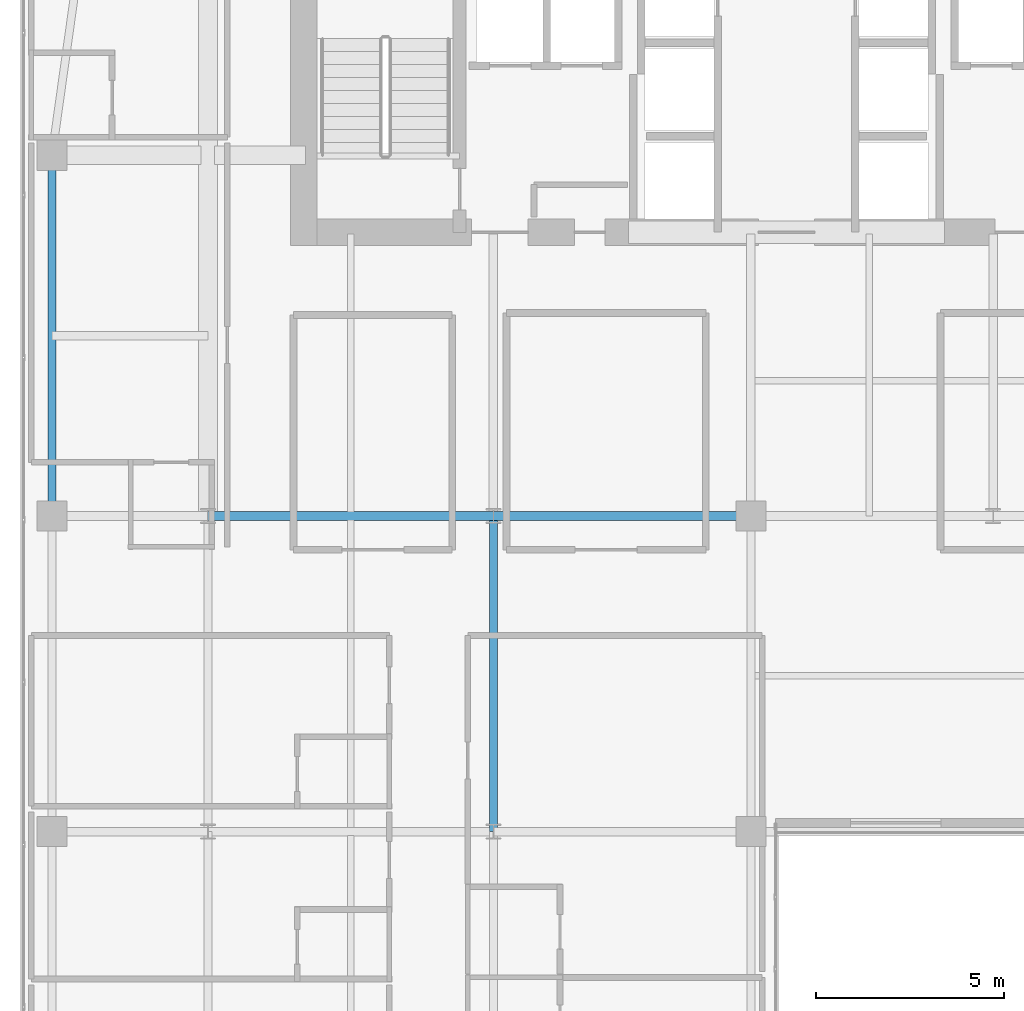
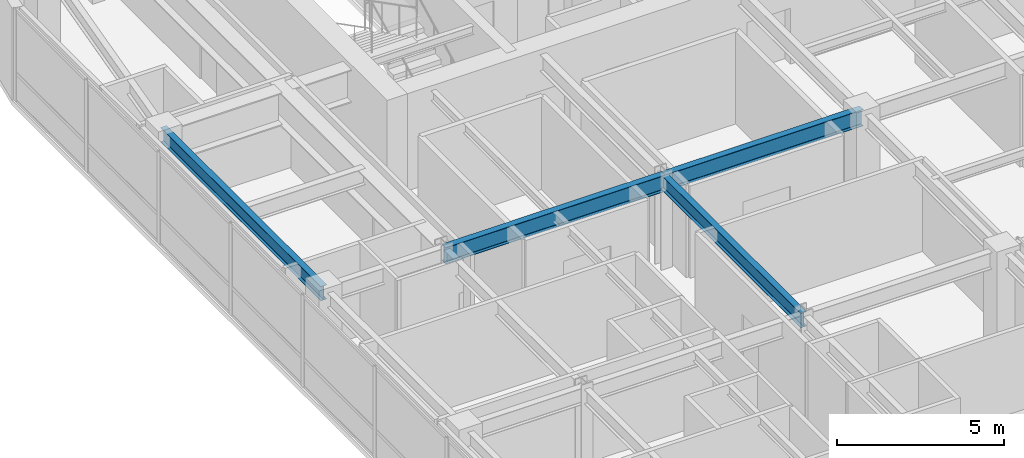
# One storey, part 10 of 28: 4 beams.
"""IFC4 building model written with IfcOpenShell, lengths in metres."""

from ifc_helpers import new_model, si_unit, direction, frame, origin, origin_2d, place, context, subcontext, project, spatial, i_section, extrude, source, transform, mapped, material, material_profile, profile_set, type_object, type_shapes, element, save


model = new_model("IFC4")

# Units and contexts
model_context = context("Model", 3, precision=1e-05, world=origin(), true_north=direction((0.0, 1.0)))
body_context = subcontext(model_context, "Body", "Model", "MODEL_VIEW")
ifc_project = project(units=[si_unit("LENGTHUNIT", "METRE"), si_unit("AREAUNIT", "SQUARE_METRE"), si_unit("VOLUMEUNIT", "CUBIC_METRE"), si_unit("PLANEANGLEUNIT", "RADIAN"), si_unit("MASSUNIT", "GRAM", prefix="KILO")], contexts=[model_context])

# Site, building, storey
site_placement = place(None, origin())
site = spatial("IfcSite", under=ifc_project, at=site_placement, CompositionType="ELEMENT")
building_placement = place(site_placement, origin())
building = spatial("IfcBuilding", under=site, at=building_placement, Name="Tolvann Quenvar Hotel", CompositionType="ELEMENT")
storey_placement = place(building_placement, frame((0.0, 0.0, 154.14990234375)))
storey = spatial("IfcBuildingStorey", under=building, at=storey_placement, Name="L40", CompositionType="ELEMENT", Elevation=154.14990234375)

# Beams
ifc_material = material(Name="Steel Grade 350", Category="steel")
ifc_material_profile_1 = material_profile(ifc_material, i_section(OverallWidth=0.208984375, OverallDepth=0.532958984375, WebThickness=0.01025390625, FlangeThickness=0.015625, FilletRadius=0.013916015625, at=origin_2d()), Name="530UB92")
ifc_profile_set_1 = profile_set([ifc_material_profile_1], Name="Steel Grade 350")
beam_type_1 = type_object("IfcBeamType", Name="BM_GIRD_530UB92", PredefinedType="BEAM", material=ifc_profile_set_1)
shared_shape_1 = source(origin(), body_context, "Body", "SweptSolid", [
    extrude(i_section(OverallWidth=0.208984375, OverallDepth=0.532958984375, WebThickness=0.01025390625, FlangeThickness=0.015625, FilletRadius=0.013916015625, at=origin_2d()), origin(), (0.0, 0.0, 1.0), 8.39990234375),
])
type_shapes(beam_type_1, [shared_shape_1])
beam_1_placement = place(storey_placement, frame((15.199951171875, 16.0, 3.103515625), z_axis=(0.0, 1.0, 0.0), x_axis=(-1.0, 0.0, 0.0)))
element("IfcBeam", 1, at=beam_1_placement, inside=storey, type_object=beam_type_1, Name="BM-L40-NS-D4-D5", PredefinedType="BEAM", context=body_context, shape_type="MappedRepresentation", body=[
    mapped(shared_shape_1, transform((0.0, 0.0, 0.0), x_axis=(1.0, 0.0, 0.0), y_axis=(0.0, 1.0, 0.0), z_axis=(0.0, 0.0, 1.0), scale=1.0)),
])
ifc_material_profile_2 = material_profile(ifc_material, i_section(OverallWidth=0.208984375, OverallDepth=0.528076171875, WebThickness=0.009521484375, FlangeThickness=0.01318359375, FilletRadius=0.013916015625, at=origin_2d()), Name="530UB82")
ifc_profile_set_2 = profile_set([ifc_material_profile_2], Name="Steel Grade 350")
beam_type_2 = type_object("IfcBeamType", Name="BM_SPAND_530UB82", PredefinedType="SPANDREL", material=ifc_profile_set_2)
shared_shape_2 = source(origin(), body_context, "Body", "SweptSolid", [
    extrude(i_section(OverallWidth=0.208984375, OverallDepth=0.528076171875, WebThickness=0.009521484375, FlangeThickness=0.01318359375, FilletRadius=0.013916015625, at=origin_2d()), origin(), (0.0, 0.0, 1.0), 9.60009765625),
])
type_shapes(beam_type_2, [shared_shape_2])
beam_2_placement = place(storey_placement, frame((3.449951171875, 24.39990234375, 3.106201171875), z_axis=(0.0, 1.0, 0.0), x_axis=(-1.0, 0.0, 0.0)))
element("IfcBeam", 2, at=beam_2_placement, inside=storey, type_object=beam_type_2, Name="BM-L40-FLK-W1", PredefinedType="SPANDREL", context=body_context, shape_type="MappedRepresentation", body=[
    mapped(shared_shape_2, transform((0.0, 0.0, 0.0), x_axis=(1.0, 0.0, 0.0), y_axis=(0.0, 1.0, 0.0), z_axis=(0.0, 0.0, 1.0), scale=1.0)),
])
ifc_material_profile_3 = material_profile(ifc_material, i_section(OverallWidth=0.22802734375, OverallDepth=0.60205078125, WebThickness=0.010498046875, FlangeThickness=0.014892578125, FilletRadius=0.013916015625, at=origin_2d()), Name="610UB101")
ifc_profile_set_3 = profile_set([ifc_material_profile_3], Name="Steel Grade 350")
beam_type_3 = type_object("IfcBeamType", Name="BM_GIRD_610UB101", PredefinedType="BEAM", material=ifc_profile_set_3)
shared_shape_3 = source(origin(), body_context, "Body", "SweptSolid", [
    extrude(i_section(OverallWidth=0.22802734375, OverallDepth=0.60205078125, WebThickness=0.010498046875, FlangeThickness=0.014892578125, FilletRadius=0.013916015625, at=origin_2d()), origin(), (0.0, 0.0, 1.0), 7.599853515625),
])
beam_3_placement = place(storey_placement, frame((7.60009765625, 24.39990234375, 3.069091796875), z_axis=(1.0, 0.0, 0.0), x_axis=(0.0, 1.0, 0.0)))
element("IfcBeam", 3, at=beam_3_placement, inside=storey, type_object=beam_type_3, Name="BM-L40-EW-5-C5-D5", PredefinedType="BEAM", context=body_context, shape_type="MappedRepresentation", body=[
    mapped(shared_shape_3, transform((0.0, 0.0, 0.0), x_axis=(1.0, 0.0, 0.0), y_axis=(0.0, 1.0, 0.0), z_axis=(0.0, 0.0, 1.0), scale=1.0)),
])
shared_shape_4 = source(origin(), body_context, "Body", "SweptSolid", [
    extrude(i_section(OverallWidth=0.22802734375, OverallDepth=0.60205078125, WebThickness=0.010498046875, FlangeThickness=0.014892578125, FilletRadius=0.013916015625, at=origin_2d()), origin(), (0.0, 0.0, 1.0), 6.85009765625),
])
type_shapes(beam_type_3, [shared_shape_3, shared_shape_4])
beam_4_placement = place(storey_placement, frame((15.199951171875, 24.39990234375, 3.069091796875), z_axis=(1.0, 0.0, 0.0), x_axis=(0.0, 1.0, 0.0)))
element("IfcBeam", 4, at=beam_4_placement, inside=storey, type_object=beam_type_3, Name="BM-L40-EW-5-D5-E5", PredefinedType="BEAM", context=body_context, shape_type="MappedRepresentation", body=[
    mapped(shared_shape_4, transform((0.0, 0.0, 0.0), x_axis=(1.0, 0.0, 0.0), y_axis=(0.0, 1.0, 0.0), z_axis=(0.0, 0.0, 1.0), scale=1.0)),
])

save(model, "model.ifc")
